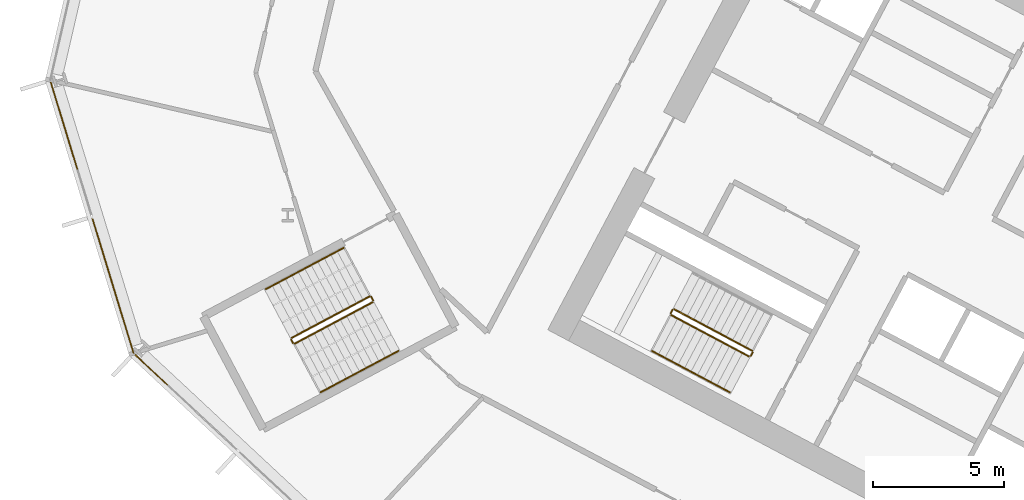
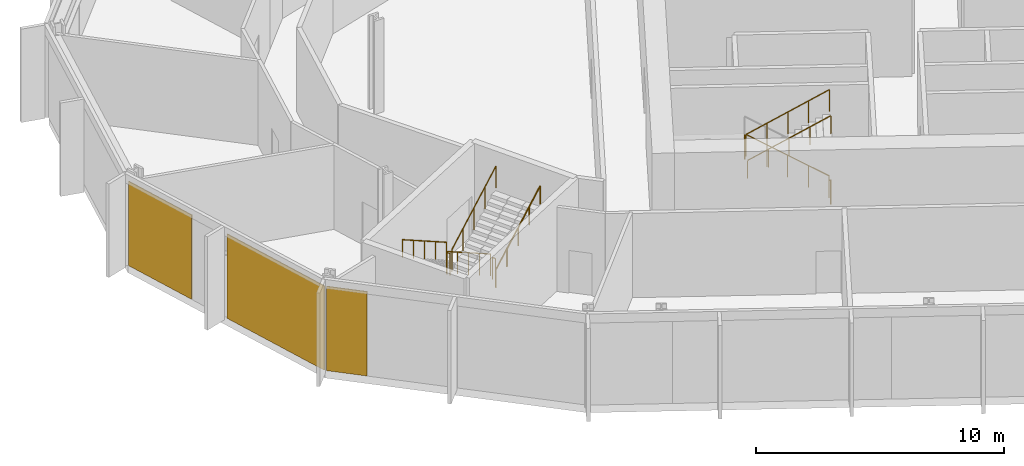
# One storey, part 23 of 31: 11 railings, 3 coverings, 2 elements without a shape of their own.
"""IFC4 building model written with IfcOpenShell, lengths in metres."""

from ifc_helpers import new_model, si_unit, direction, frame, origin, origin_2d, place, context, subcontext, project, spatial, polyline, rectangle, outline, extrude, material, layer, layer_set, type_object, element, aggregate, save


model = new_model("IFC4")

# Units and contexts
model_context = context("Model", 3, precision=1e-05, world=origin(), true_north=direction((0.0, 1.0)))
body_context = subcontext(model_context, "Body", "Model", "MODEL_VIEW")
ifc_project = project(units=[si_unit("LENGTHUNIT", "METRE"), si_unit("AREAUNIT", "SQUARE_METRE"), si_unit("VOLUMEUNIT", "CUBIC_METRE"), si_unit("PLANEANGLEUNIT", "RADIAN"), si_unit("MASSUNIT", "GRAM", prefix="KILO")], contexts=[model_context])

# Site, building, storey
site_placement = place(None, origin())
site = spatial("IfcSite", under=ifc_project, at=site_placement, CompositionType="ELEMENT")
building_placement = place(site_placement, origin())
building = spatial("IfcBuilding", under=site, at=building_placement, Name="Cormorant Relay Tower", CompositionType="ELEMENT")
storey_placement = place(building_placement, frame((0.0, 0.0, 107.60009765625)))
storey = spatial("IfcBuildingStorey", under=building, at=storey_placement, Name="L21", CompositionType="ELEMENT", Elevation=107.60009765625)

# Curtain wall, coverings
ifc_material_1 = material(Name="Aluminium 6063-T6 anodised bronze", Category="aluminium")
ifc_layer_1 = layer(ifc_material_1, 0.199951171875)
ifc_layer_set_1 = layer_set([ifc_layer_1], Name="CW1 unitised bronze curtain wall with vertical fins")
curtain_wall_type = type_object("IfcCurtainWallType", Name="CW1 unitised bronze curtain wall with vertical fins", PredefinedType="NOTDEFINED", material=ifc_layer_set_1)
curtain_wall_1_placement = place(storey_placement, origin())
curtain_wall_1 = element("IfcCurtainWall", 1, at=curtain_wall_1_placement, inside=storey, type_object=curtain_wall_type, Name="CW1 curtain wall 12", PredefinedType="NOTDEFINED")
ifc_material_2 = material(Name="Pale bronze anodised aluminium insulated panel", Category="aluminium")
ifc_layer_2 = layer(ifc_material_2, 0.0400390625)
ifc_layer_set_2 = layer_set([ifc_layer_2], Name="CW1 pale bronze insulated panel 40")
covering_type = type_object("IfcCoveringType", Name="CW1 pale bronze insulated panel 40", PredefinedType="CLADDING", material=ifc_layer_set_2)
covering_1_placement = place(storey_placement, frame((-60.20751953125, 18.6494140625, 0.0), z_axis=(0.0, 0.0, 1.0), x_axis=(0.292371704723, -0.956304755963, 0.0)))
covering_1 = element("IfcCovering", 2, at=covering_1_placement, type_object=covering_type, Name="CW1 panel S00", PredefinedType="CLADDING", context=body_context, shape_type="SweptSolid", body=[
    extrude(rectangle(XDim=3.485107421875, YDim=0.0400390625, at=origin_2d()), origin(), (0.0, 0.0, 1.0), 4.14990234375),
])
covering_2_placement = place(storey_placement, frame((-58.344482421875, 12.55517578125, 0.0), z_axis=(0.0, 0.0, 1.0), x_axis=(0.292371704723, -0.956304755963, 0.0)))
covering_2 = element("IfcCovering", 3, at=covering_2_placement, type_object=covering_type, Name="CW1 panel S02", PredefinedType="CLADDING", context=body_context, shape_type="SweptSolid", body=[
    extrude(rectangle(XDim=5.360107421875, YDim=0.0400390625, at=origin_2d()), origin(), (0.0, 0.0, 1.0), 4.14990234375),
])
aggregate(curtain_wall_1, [covering_1, covering_2])

# Curtain wall, covering
curtain_wall_2_placement = place(storey_placement, origin())
curtain_wall_2 = element("IfcCurtainWall", 4, at=curtain_wall_2_placement, inside=storey, type_object=curtain_wall_type, Name="CW1 curtain wall 13", PredefinedType="NOTDEFINED")
covering_3_placement = place(storey_placement, frame((-56.88427734375, 9.357421875, 0.0), z_axis=(0.0, 0.0, 1.0), x_axis=(0.731353701619, -0.681998360062, 0.0)))
covering_3 = element("IfcCovering", 5, at=covering_3_placement, type_object=covering_type, Name="CW1 panel S00", PredefinedType="CLADDING", context=body_context, shape_type="SweptSolid", body=[
    extrude(rectangle(XDim=1.685302734375, YDim=0.0400390625, at=origin_2d()), origin(), (0.0, 0.0, 1.0), 4.14990234375),
])
aggregate(curtain_wall_2, [covering_3])

# Railings
ifc_material_3 = material(Name="Steel ASTM A572 Grade 50 (Fy 345 MPa)", Category="steel")
railing_type_1 = type_object("IfcRailingType", Name="Stair guard 1100", PredefinedType="GUARDRAIL", material=ifc_material_3)
railing_1_placement = place(storey_placement, frame((-33.9921875, 10.08935546875, 0.1767578125)))
element("IfcRailing", 6, at=railing_1_placement, inside=storey, type_object=railing_type_1, Name="L21 A2 stair guard 1", PredefinedType="GUARDRAIL", context=body_context, shape_type="SweptSolid", body=[
    extrude(outline(polyline([(0.022216796875, 0.00927734375), (0.00927734375, 0.022216796875), (-0.00927734375, 0.022216796875), (-0.022216796875, 0.00927734375), (-0.022216796875, -0.00927734375), (-0.00927734375, -0.022216796875), (0.00927734375, -0.022216796875), (0.022216796875, -0.00927734375), (0.022216796875, 0.00927734375)])), frame((0.0, 0.0, 1.076171875), z_axis=(-0.746440668329, 0.396869088057, 0.534154711306), x_axis=(-0.46945269911, -0.882957622595, 0.0)), (0.0, 0.0, 1.0), 3.974609375),
    extrude(outline(polyline([(0.019287109375, 0.008056640625), (0.008056640625, 0.019287109375), (-0.008056640625, 0.019287109375), (-0.019287109375, 0.008056640625), (-0.019287109375, -0.008056640625), (-0.008056640625, -0.019287109375), (0.008056640625, -0.019287109375), (0.019287109375, -0.008056640625), (0.019287109375, 0.008056640625)])), origin(), (0.0, 0.0, 1.0), 1.052001953125),
    extrude(outline(polyline([(0.019287109375, 0.008056640625), (0.008056640625, 0.019287109375), (-0.008056640625, 0.019287109375), (-0.019287109375, 0.008056640625), (-0.019287109375, -0.008056640625), (-0.008056640625, -0.019287109375), (0.008056640625, -0.019287109375), (0.019287109375, -0.008056640625), (0.019287109375, 0.008056640625)])), frame((-0.74169921875, 0.394287109375, 0.53076171875)), (0.0, 0.0, 1.0), 1.052001953125),
    extrude(outline(polyline([(0.019287109375, 0.008056640625), (0.008056640625, 0.019287109375), (-0.008056640625, 0.019287109375), (-0.019287109375, 0.008056640625), (-0.019287109375, -0.008056640625), (-0.008056640625, -0.019287109375), (0.008056640625, -0.019287109375), (0.019287109375, -0.008056640625), (0.019287109375, 0.008056640625)])), frame((-1.4833984375, 0.78857421875, 1.0615234375)), (0.0, 0.0, 1.0), 1.052001953125),
    extrude(outline(polyline([(0.019287109375, 0.008056640625), (0.008056640625, 0.019287109375), (-0.008056640625, 0.019287109375), (-0.019287109375, 0.008056640625), (-0.019287109375, -0.008056640625), (-0.008056640625, -0.019287109375), (0.008056640625, -0.019287109375), (0.019287109375, -0.008056640625), (0.019287109375, 0.008056640625)])), frame((-2.22509765625, 1.18310546875, 1.59228515625)), (0.0, 0.0, 1.0), 1.052001953125),
    extrude(outline(polyline([(0.019287109375, 0.008056640625), (0.008056640625, 0.019287109375), (-0.008056640625, 0.019287109375), (-0.019287109375, 0.008056640625), (-0.019287109375, -0.008056640625), (-0.008056640625, -0.019287109375), (0.008056640625, -0.019287109375), (0.019287109375, -0.008056640625), (0.019287109375, 0.008056640625)])), frame((-2.966796875, 1.577392578125, 2.123046875)), (0.0, 0.0, 1.0), 1.052001953125),
])
railing_2_placement = place(storey_placement, frame((-37.026611328125, 11.64599609375, 2.2998046875)))
element("IfcRailing", 7, at=railing_2_placement, inside=storey, type_object=railing_type_1, Name="L21 A2 stair guard 2", PredefinedType="GUARDRAIL", context=body_context, shape_type="SweptSolid", body=[
    extrude(outline(polyline([(0.022216796875, 0.00927734375), (0.00927734375, 0.022216796875), (-0.00927734375, 0.022216796875), (-0.022216796875, 0.00927734375), (-0.022216796875, -0.00927734375), (-0.00927734375, -0.022216796875), (0.00927734375, -0.022216796875), (0.022216796875, -0.00927734375), (0.022216796875, 0.00927734375)])), frame((0.0, 0.0, 1.076171875), z_axis=(-0.469234640946, -0.883073525669, 0.0), x_axis=(0.883073525669, -0.469234640946, 0.0)), (0.0, 0.0, 1.0), 0.14990234375),
    extrude(outline(polyline([(0.019287109375, 0.008056640625), (0.008056640625, 0.019287109375), (-0.008056640625, 0.019287109375), (-0.019287109375, 0.008056640625), (-0.019287109375, -0.008056640625), (-0.008056640625, -0.019287109375), (0.008056640625, -0.019287109375), (0.019287109375, -0.008056640625), (0.019287109375, 0.008056640625)])), origin(), (0.0, 0.0, 1.0), 1.052001953125),
    extrude(outline(polyline([(0.019287109375, 0.008056640625), (0.008056640625, 0.019287109375), (-0.008056640625, 0.019287109375), (-0.019287109375, 0.008056640625), (-0.019287109375, -0.008056640625), (-0.008056640625, -0.019287109375), (0.008056640625, -0.019287109375), (0.019287109375, -0.008056640625), (0.019287109375, 0.008056640625)])), frame((-0.0703125, -0.13232421875, 0.0)), (0.0, 0.0, 1.0), 1.052001953125),
])
railing_3_placement = place(storey_placement, frame((-37.076171875, 11.446044921875, 2.476806640625)))
element("IfcRailing", 8, at=railing_3_placement, inside=storey, type_object=railing_type_1, Name="L21 A2 stair guard 3", PredefinedType="GUARDRAIL", context=body_context, shape_type="SweptSolid", body=[
    extrude(outline(polyline([(0.022216796875, 0.00927734375), (0.00927734375, 0.022216796875), (-0.00927734375, 0.022216796875), (-0.022216796875, 0.00927734375), (-0.022216796875, -0.00927734375), (-0.00927734375, -0.022216796875), (0.00927734375, -0.022216796875), (0.022216796875, -0.00927734375), (0.022216796875, 0.00927734375)])), frame((0.0, 0.0, 1.076171875), z_axis=(0.746413465702, -0.396887285154, 0.534179203172), x_axis=(0.469482818608, 0.88294160794, 0.0)), (0.0, 0.0, 1.0), 3.974365234375),
    extrude(outline(polyline([(0.019287109375, 0.008056640625), (0.008056640625, 0.019287109375), (-0.008056640625, 0.019287109375), (-0.019287109375, 0.008056640625), (-0.019287109375, -0.008056640625), (-0.008056640625, -0.019287109375), (0.008056640625, -0.019287109375), (0.019287109375, -0.008056640625), (0.019287109375, 0.008056640625)])), origin(), (0.0, 0.0, 1.0), 1.052001953125),
    extrude(outline(polyline([(0.019287109375, 0.008056640625), (0.008056640625, 0.019287109375), (-0.008056640625, 0.019287109375), (-0.019287109375, 0.008056640625), (-0.019287109375, -0.008056640625), (-0.008056640625, -0.019287109375), (0.008056640625, -0.019287109375), (0.019287109375, -0.008056640625), (0.019287109375, 0.008056640625)])), frame((0.74169921875, -0.394287109375, 0.53076171875)), (0.0, 0.0, 1.0), 1.052001953125),
    extrude(outline(polyline([(0.019287109375, 0.008056640625), (0.008056640625, 0.019287109375), (-0.008056640625, 0.019287109375), (-0.019287109375, 0.008056640625), (-0.019287109375, -0.008056640625), (-0.008056640625, -0.019287109375), (0.008056640625, -0.019287109375), (0.019287109375, -0.008056640625), (0.019287109375, 0.008056640625)])), frame((1.4833984375, -0.78857421875, 1.0615234375)), (0.0, 0.0, 1.0), 1.052001953125),
    extrude(outline(polyline([(0.019287109375, 0.008056640625), (0.008056640625, 0.019287109375), (-0.008056640625, 0.019287109375), (-0.019287109375, 0.008056640625), (-0.019287109375, -0.008056640625), (-0.008056640625, -0.019287109375), (0.008056640625, -0.019287109375), (0.019287109375, -0.008056640625), (0.019287109375, 0.008056640625)])), frame((2.224853515625, -1.18310546875, 1.59228515625)), (0.0, 0.0, 1.0), 1.052001953125),
    extrude(outline(polyline([(0.019287109375, 0.008056640625), (0.008056640625, 0.019287109375), (-0.008056640625, 0.019287109375), (-0.019287109375, 0.008056640625), (-0.019287109375, -0.008056640625), (-0.008056640625, -0.019287109375), (0.008056640625, -0.019287109375), (0.019287109375, -0.008056640625), (0.019287109375, 0.008056640625)])), frame((2.966552734375, -1.577392578125, 2.123046875)), (0.0, 0.0, 1.0), 1.052001953125),
])
railing_4_placement = place(storey_placement, frame((-33.971435546875, 10.021728515625, 0.0)))
element("IfcRailing", 9, at=railing_4_placement, inside=storey, type_object=railing_type_1, Name="L21 A2 stair guard 4", PredefinedType="GUARDRAIL", context=body_context, shape_type="SweptSolid", body=[
    extrude(outline(polyline([(0.022216796875, 0.00927734375), (0.00927734375, 0.022216796875), (-0.00927734375, 0.022216796875), (-0.022216796875, 0.00927734375), (-0.022216796875, -0.00927734375), (-0.00927734375, -0.022216796875), (0.00927734375, -0.022216796875), (0.022216796875, -0.00927734375), (0.022216796875, 0.00927734375)])), frame((0.0, 0.0, 1.076171875), z_axis=(-0.470503732759, -0.882398003998, 0.0), x_axis=(0.882398003998, -0.470503732759, 0.0)), (0.0, 0.0, 1.0), 0.14990234375),
    extrude(outline(polyline([(0.019287109375, 0.008056640625), (0.008056640625, 0.019287109375), (-0.008056640625, 0.019287109375), (-0.019287109375, 0.008056640625), (-0.019287109375, -0.008056640625), (-0.008056640625, -0.019287109375), (0.008056640625, -0.019287109375), (0.019287109375, -0.008056640625), (0.019287109375, 0.008056640625)])), origin(), (0.0, 0.0, 1.0), 1.052001953125),
    extrude(outline(polyline([(0.019287109375, 0.008056640625), (0.008056640625, 0.019287109375), (-0.008056640625, 0.019287109375), (-0.019287109375, 0.008056640625), (-0.019287109375, -0.008056640625), (-0.008056640625, -0.019287109375), (0.008056640625, -0.019287109375), (0.019287109375, -0.008056640625), (0.019287109375, 0.008056640625)])), frame((-0.070556640625, -0.13232421875, 0.0)), (0.0, 0.0, 1.0), 1.052001953125),
])
railing_5_placement = place(storey_placement, frame((-48.5693359375, 12.155517578125, 0.1767578125)))
element("IfcRailing", 10, at=railing_5_placement, inside=storey, type_object=railing_type_1, Name="L21 RP1 stair guard 1", PredefinedType="GUARDRAIL", context=body_context, shape_type="SweptSolid", body=[
    extrude(outline(polyline([(0.022216796875, 0.00927734375), (0.00927734375, 0.022216796875), (-0.00927734375, 0.022216796875), (-0.022216796875, 0.00927734375), (-0.022216796875, -0.00927734375), (-0.00927734375, -0.022216796875), (0.00927734375, -0.022216796875), (0.022216796875, -0.00927734375), (0.022216796875, 0.00927734375)])), frame((0.0, 0.0, 1.076171875), z_axis=(-0.746422470992, -0.396920836698, 0.534141689248), x_axis=(0.469509342547, -0.882927503967, 0.0)), (0.0, 0.0, 1.0), 3.974609375),
    extrude(outline(polyline([(0.019287109375, 0.008056640625), (0.008056640625, 0.019287109375), (-0.008056640625, 0.019287109375), (-0.019287109375, 0.008056640625), (-0.019287109375, -0.008056640625), (-0.008056640625, -0.019287109375), (0.008056640625, -0.019287109375), (0.019287109375, -0.008056640625), (0.019287109375, 0.008056640625)])), origin(), (0.0, 0.0, 1.0), 1.052001953125),
    extrude(outline(polyline([(0.019287109375, 0.008056640625), (0.008056640625, 0.019287109375), (-0.008056640625, 0.019287109375), (-0.019287109375, 0.008056640625), (-0.019287109375, -0.008056640625), (-0.008056640625, -0.019287109375), (0.008056640625, -0.019287109375), (0.019287109375, -0.008056640625), (0.019287109375, 0.008056640625)])), frame((-0.74169921875, -0.39453125, 0.53076171875)), (0.0, 0.0, 1.0), 1.052001953125),
    extrude(outline(polyline([(0.019287109375, 0.008056640625), (0.008056640625, 0.019287109375), (-0.008056640625, 0.019287109375), (-0.019287109375, 0.008056640625), (-0.019287109375, -0.008056640625), (-0.008056640625, -0.019287109375), (0.008056640625, -0.019287109375), (0.019287109375, -0.008056640625), (0.019287109375, 0.008056640625)])), frame((-1.4833984375, -0.788818359375, 1.0615234375)), (0.0, 0.0, 1.0), 1.052001953125),
    extrude(outline(polyline([(0.019287109375, 0.008056640625), (0.008056640625, 0.019287109375), (-0.008056640625, 0.019287109375), (-0.019287109375, 0.008056640625), (-0.019287109375, -0.008056640625), (-0.008056640625, -0.019287109375), (0.008056640625, -0.019287109375), (0.019287109375, -0.008056640625), (0.019287109375, 0.008056640625)])), frame((-2.22509765625, -1.18310546875, 1.59228515625)), (0.0, 0.0, 1.0), 1.052001953125),
    extrude(outline(polyline([(0.019287109375, 0.008056640625), (0.008056640625, 0.019287109375), (-0.008056640625, 0.019287109375), (-0.019287109375, 0.008056640625), (-0.019287109375, -0.008056640625), (-0.008056640625, -0.019287109375), (0.008056640625, -0.019287109375), (0.019287109375, -0.008056640625), (0.019287109375, 0.008056640625)])), frame((-2.966796875, -1.57763671875, 2.123046875)), (0.0, 0.0, 1.0), 1.052001953125),
])
railing_6_placement = place(storey_placement, frame((-51.556640625, 10.51025390625, 2.2998046875)))
element("IfcRailing", 11, at=railing_6_placement, inside=storey, type_object=railing_type_1, Name="L21 RP1 stair guard 2", PredefinedType="GUARDRAIL", context=body_context, shape_type="SweptSolid", body=[
    extrude(outline(polyline([(0.022216796875, 0.00927734375), (0.00927734375, 0.022216796875), (-0.00927734375, 0.022216796875), (-0.022216796875, 0.00927734375), (-0.022216796875, -0.00927734375), (-0.00927734375, -0.022216796875), (0.00927734375, -0.022216796875), (0.022216796875, -0.00927734375), (0.022216796875, 0.00927734375)])), frame((0.0, 0.0, 1.076171875), z_axis=(0.469234640946, -0.883073525669, 0.0), x_axis=(0.883073525669, 0.469234640946, 0.0)), (0.0, 0.0, 1.0), 0.14990234375),
    extrude(outline(polyline([(0.019287109375, 0.008056640625), (0.008056640625, 0.019287109375), (-0.008056640625, 0.019287109375), (-0.019287109375, 0.008056640625), (-0.019287109375, -0.008056640625), (-0.008056640625, -0.019287109375), (0.008056640625, -0.019287109375), (0.019287109375, -0.008056640625), (0.019287109375, 0.008056640625)])), origin(), (0.0, 0.0, 1.0), 1.052001953125),
    extrude(outline(polyline([(0.019287109375, 0.008056640625), (0.008056640625, 0.019287109375), (-0.008056640625, 0.019287109375), (-0.019287109375, 0.008056640625), (-0.019287109375, -0.008056640625), (-0.008056640625, -0.019287109375), (0.008056640625, -0.019287109375), (0.019287109375, -0.008056640625), (0.019287109375, 0.008056640625)])), frame((0.0703125, -0.13232421875, 0.0)), (0.0, 0.0, 1.0), 1.052001953125),
])
railing_7_placement = place(storey_placement, frame((-51.418701171875, 10.357177734375, 2.476806640625)))
element("IfcRailing", 12, at=railing_7_placement, inside=storey, type_object=railing_type_1, Name="L21 RP1 stair guard 3", PredefinedType="GUARDRAIL", context=body_context, shape_type="SweptSolid", body=[
    extrude(outline(polyline([(0.022216796875, 0.00927734375), (0.00927734375, 0.022216796875), (-0.00927734375, 0.022216796875), (-0.022216796875, 0.00927734375), (-0.022216796875, -0.00927734375), (-0.00927734375, -0.022216796875), (0.00927734375, -0.022216796875), (0.022216796875, -0.00927734375), (0.022216796875, 0.00927734375)])), frame((0.0, 0.0, 1.076171875), z_axis=(0.746440668329, 0.396869088057, 0.534154711306), x_axis=(-0.46945269911, 0.882957622595, 0.0)), (0.0, 0.0, 1.0), 3.974609375),
    extrude(outline(polyline([(0.019287109375, 0.008056640625), (0.008056640625, 0.019287109375), (-0.008056640625, 0.019287109375), (-0.019287109375, 0.008056640625), (-0.019287109375, -0.008056640625), (-0.008056640625, -0.019287109375), (0.008056640625, -0.019287109375), (0.019287109375, -0.008056640625), (0.019287109375, 0.008056640625)])), origin(), (0.0, 0.0, 1.0), 1.052001953125),
    extrude(outline(polyline([(0.019287109375, 0.008056640625), (0.008056640625, 0.019287109375), (-0.008056640625, 0.019287109375), (-0.019287109375, 0.008056640625), (-0.019287109375, -0.008056640625), (-0.008056640625, -0.019287109375), (0.008056640625, -0.019287109375), (0.019287109375, -0.008056640625), (0.019287109375, 0.008056640625)])), frame((0.74169921875, 0.394287109375, 0.53076171875)), (0.0, 0.0, 1.0), 1.052001953125),
    extrude(outline(polyline([(0.019287109375, 0.008056640625), (0.008056640625, 0.019287109375), (-0.008056640625, 0.019287109375), (-0.019287109375, 0.008056640625), (-0.019287109375, -0.008056640625), (-0.008056640625, -0.019287109375), (0.008056640625, -0.019287109375), (0.019287109375, -0.008056640625), (0.019287109375, 0.008056640625)])), frame((1.4833984375, 0.78857421875, 1.0615234375)), (0.0, 0.0, 1.0), 1.052001953125),
    extrude(outline(polyline([(0.019287109375, 0.008056640625), (0.008056640625, 0.019287109375), (-0.008056640625, 0.019287109375), (-0.019287109375, 0.008056640625), (-0.019287109375, -0.008056640625), (-0.008056640625, -0.019287109375), (0.008056640625, -0.019287109375), (0.019287109375, -0.008056640625), (0.019287109375, 0.008056640625)])), frame((2.22509765625, 1.18310546875, 1.59228515625)), (0.0, 0.0, 1.0), 1.052001953125),
    extrude(outline(polyline([(0.019287109375, 0.008056640625), (0.008056640625, 0.019287109375), (-0.008056640625, 0.019287109375), (-0.019287109375, 0.008056640625), (-0.019287109375, -0.008056640625), (-0.008056640625, -0.019287109375), (0.008056640625, -0.019287109375), (0.019287109375, -0.008056640625), (0.019287109375, 0.008056640625)])), frame((2.966796875, 1.577392578125, 2.123046875)), (0.0, 0.0, 1.0), 1.052001953125),
])
railing_8_placement = place(storey_placement, frame((-48.501708984375, 12.134765625, 0.0)))
element("IfcRailing", 13, at=railing_8_placement, inside=storey, type_object=railing_type_1, Name="L21 RP1 stair guard 4", PredefinedType="GUARDRAIL", context=body_context, shape_type="SweptSolid", body=[
    extrude(outline(polyline([(0.022216796875, 0.00927734375), (0.00927734375, 0.022216796875), (-0.00927734375, 0.022216796875), (-0.022216796875, 0.00927734375), (-0.022216796875, -0.00927734375), (-0.00927734375, -0.022216796875), (0.00927734375, -0.022216796875), (0.022216796875, -0.00927734375), (0.022216796875, 0.00927734375)])), frame((0.0, 0.0, 1.076171875), z_axis=(0.46856034887, -0.8834314911, 0.0), x_axis=(0.8834314911, 0.46856034887, 0.0)), (0.0, 0.0, 1.0), 0.150146484375),
    extrude(outline(polyline([(0.019287109375, 0.008056640625), (0.008056640625, 0.019287109375), (-0.008056640625, 0.019287109375), (-0.019287109375, 0.008056640625), (-0.019287109375, -0.008056640625), (-0.008056640625, -0.019287109375), (0.008056640625, -0.019287109375), (0.019287109375, -0.008056640625), (0.019287109375, 0.008056640625)])), origin(), (0.0, 0.0, 1.0), 1.052001953125),
    extrude(outline(polyline([(0.019287109375, 0.008056640625), (0.008056640625, 0.019287109375), (-0.008056640625, 0.019287109375), (-0.019287109375, 0.008056640625), (-0.019287109375, -0.008056640625), (-0.008056640625, -0.019287109375), (0.008056640625, -0.019287109375), (0.019287109375, -0.008056640625), (0.019287109375, 0.008056640625)])), frame((0.0703125, -0.132568359375, 0.0)), (0.0, 0.0, 1.0), 1.052001953125),
])
ifc_material_4 = material(Name="Steel ASTM A572 Grade 50 (Fy 345 MPa)", Category="steel")
railing_type_2 = type_object("IfcRailingType", Name="Stair handrail 900", PredefinedType="HANDRAIL", material=ifc_material_4)
railing_9_placement = place(storey_placement, frame((-37.803955078125, 10.077392578125, 2.476806640625)))
element("IfcRailing", 14, at=railing_9_placement, inside=storey, type_object=railing_type_2, Name="L21 A2 stair handrail 2", PredefinedType="HANDRAIL", context=body_context, shape_type="SweptSolid", body=[
    extrude(outline(polyline([(0.022216796875, 0.00927734375), (0.00927734375, 0.022216796875), (-0.00927734375, 0.022216796875), (-0.022216796875, 0.00927734375), (-0.022216796875, -0.00927734375), (-0.00927734375, -0.022216796875), (0.00927734375, -0.022216796875), (0.022216796875, -0.00927734375), (0.022216796875, 0.00927734375)])), frame((0.0, 0.0, 0.8759765625), z_axis=(0.746440668329, -0.396869088057, 0.534154711306), x_axis=(0.46945269911, 0.882957622595, 0.0)), (0.0, 0.0, 1.0), 3.974609375),
    extrude(outline(polyline([(0.019287109375, 0.008056640625), (0.008056640625, 0.019287109375), (-0.008056640625, 0.019287109375), (-0.019287109375, 0.008056640625), (-0.019287109375, -0.008056640625), (-0.008056640625, -0.019287109375), (0.008056640625, -0.019287109375), (0.019287109375, -0.008056640625), (0.019287109375, 0.008056640625)])), origin(), (0.0, 0.0, 1.0), 0.851806640625),
    extrude(outline(polyline([(0.019287109375, 0.008056640625), (0.008056640625, 0.019287109375), (-0.008056640625, 0.019287109375), (-0.019287109375, 0.008056640625), (-0.019287109375, -0.008056640625), (-0.008056640625, -0.019287109375), (0.008056640625, -0.019287109375), (0.019287109375, -0.008056640625), (0.019287109375, 0.008056640625)])), frame((0.74169921875, -0.394287109375, 0.53076171875)), (0.0, 0.0, 1.0), 0.851806640625),
    extrude(outline(polyline([(0.019287109375, 0.008056640625), (0.008056640625, 0.019287109375), (-0.008056640625, 0.019287109375), (-0.019287109375, 0.008056640625), (-0.019287109375, -0.008056640625), (-0.008056640625, -0.019287109375), (0.008056640625, -0.019287109375), (0.019287109375, -0.008056640625), (0.019287109375, 0.008056640625)])), frame((1.4833984375, -0.78857421875, 1.0615234375)), (0.0, 0.0, 1.0), 0.851806640625),
    extrude(outline(polyline([(0.019287109375, 0.008056640625), (0.008056640625, 0.019287109375), (-0.008056640625, 0.019287109375), (-0.019287109375, 0.008056640625), (-0.019287109375, -0.008056640625), (-0.008056640625, -0.019287109375), (0.008056640625, -0.019287109375), (0.019287109375, -0.008056640625), (0.019287109375, 0.008056640625)])), frame((2.22509765625, -1.18310546875, 1.59228515625)), (0.0, 0.0, 1.0), 0.851806640625),
    extrude(outline(polyline([(0.019287109375, 0.008056640625), (0.008056640625, 0.019287109375), (-0.008056640625, 0.019287109375), (-0.019287109375, 0.008056640625), (-0.019287109375, -0.008056640625), (-0.008056640625, -0.019287109375), (0.008056640625, -0.019287109375), (0.019287109375, -0.008056640625), (0.019287109375, 0.008056640625)])), frame((2.966796875, -1.577392578125, 2.123046875)), (0.0, 0.0, 1.0), 0.851806640625),
])
railing_10_placement = place(storey_placement, frame((-49.55517578125, 14.009521484375, 0.1767578125)))
element("IfcRailing", 15, at=railing_10_placement, inside=storey, type_object=railing_type_2, Name="L21 RP1 stair handrail 1", PredefinedType="HANDRAIL", context=body_context, shape_type="SweptSolid", body=[
    extrude(outline(polyline([(0.022216796875, 0.00927734375), (0.00927734375, 0.022216796875), (-0.00927734375, 0.022216796875), (-0.022216796875, 0.00927734375), (-0.022216796875, -0.00927734375), (-0.00927734375, -0.022216796875), (0.00927734375, -0.022216796875), (0.022216796875, -0.00927734375), (0.022216796875, 0.00927734375)])), frame((0.0, 0.0, 0.8759765625), z_axis=(-0.746440668329, -0.396869088057, 0.534154711306), x_axis=(0.46945269911, -0.882957622595, 0.0)), (0.0, 0.0, 1.0), 3.974609375),
    extrude(outline(polyline([(0.019287109375, 0.008056640625), (0.008056640625, 0.019287109375), (-0.008056640625, 0.019287109375), (-0.019287109375, 0.008056640625), (-0.019287109375, -0.008056640625), (-0.008056640625, -0.019287109375), (0.008056640625, -0.019287109375), (0.019287109375, -0.008056640625), (0.019287109375, 0.008056640625)])), origin(), (0.0, 0.0, 1.0), 0.851806640625),
    extrude(outline(polyline([(0.019287109375, 0.008056640625), (0.008056640625, 0.019287109375), (-0.008056640625, 0.019287109375), (-0.019287109375, 0.008056640625), (-0.019287109375, -0.008056640625), (-0.008056640625, -0.019287109375), (0.008056640625, -0.019287109375), (0.019287109375, -0.008056640625), (0.019287109375, 0.008056640625)])), frame((-0.74169921875, -0.394287109375, 0.53076171875)), (0.0, 0.0, 1.0), 0.851806640625),
    extrude(outline(polyline([(0.019287109375, 0.008056640625), (0.008056640625, 0.019287109375), (-0.008056640625, 0.019287109375), (-0.019287109375, 0.008056640625), (-0.019287109375, -0.008056640625), (-0.008056640625, -0.019287109375), (0.008056640625, -0.019287109375), (0.019287109375, -0.008056640625), (0.019287109375, 0.008056640625)])), frame((-1.4833984375, -0.78857421875, 1.0615234375)), (0.0, 0.0, 1.0), 0.851806640625),
    extrude(outline(polyline([(0.019287109375, 0.008056640625), (0.008056640625, 0.019287109375), (-0.008056640625, 0.019287109375), (-0.019287109375, 0.008056640625), (-0.019287109375, -0.008056640625), (-0.008056640625, -0.019287109375), (0.008056640625, -0.019287109375), (0.019287109375, -0.008056640625), (0.019287109375, 0.008056640625)])), frame((-2.22509765625, -1.18310546875, 1.59228515625)), (0.0, 0.0, 1.0), 0.851806640625),
    extrude(outline(polyline([(0.019287109375, 0.008056640625), (0.008056640625, 0.019287109375), (-0.008056640625, 0.019287109375), (-0.019287109375, 0.008056640625), (-0.019287109375, -0.008056640625), (-0.008056640625, -0.019287109375), (0.008056640625, -0.019287109375), (0.019287109375, -0.008056640625), (0.019287109375, 0.008056640625)])), frame((-2.966796875, -1.577392578125, 2.123046875)), (0.0, 0.0, 1.0), 0.851806640625),
])
railing_11_placement = place(storey_placement, frame((-50.432861328125, 8.503173828125, 2.476806640625)))
element("IfcRailing", 16, at=railing_11_placement, inside=storey, type_object=railing_type_2, Name="L21 RP1 stair handrail 2", PredefinedType="HANDRAIL", context=body_context, shape_type="SweptSolid", body=[
    extrude(outline(polyline([(0.022216796875, 0.00927734375), (0.00927734375, 0.022216796875), (-0.00927734375, 0.022216796875), (-0.022216796875, 0.00927734375), (-0.022216796875, -0.00927734375), (-0.00927734375, -0.022216796875), (0.00927734375, -0.022216796875), (0.022216796875, -0.00927734375), (0.022216796875, 0.00927734375)])), frame((0.0, 0.0, 0.8759765625), z_axis=(0.746440668329, 0.396869088057, 0.534154711306), x_axis=(-0.46945269911, 0.882957622595, 0.0)), (0.0, 0.0, 1.0), 3.974609375),
    extrude(outline(polyline([(0.019287109375, 0.008056640625), (0.008056640625, 0.019287109375), (-0.008056640625, 0.019287109375), (-0.019287109375, 0.008056640625), (-0.019287109375, -0.008056640625), (-0.008056640625, -0.019287109375), (0.008056640625, -0.019287109375), (0.019287109375, -0.008056640625), (0.019287109375, 0.008056640625)])), origin(), (0.0, 0.0, 1.0), 0.851806640625),
    extrude(outline(polyline([(0.019287109375, 0.008056640625), (0.008056640625, 0.019287109375), (-0.008056640625, 0.019287109375), (-0.019287109375, 0.008056640625), (-0.019287109375, -0.008056640625), (-0.008056640625, -0.019287109375), (0.008056640625, -0.019287109375), (0.019287109375, -0.008056640625), (0.019287109375, 0.008056640625)])), frame((0.74169921875, 0.394287109375, 0.53076171875)), (0.0, 0.0, 1.0), 0.851806640625),
    extrude(outline(polyline([(0.019287109375, 0.008056640625), (0.008056640625, 0.019287109375), (-0.008056640625, 0.019287109375), (-0.019287109375, 0.008056640625), (-0.019287109375, -0.008056640625), (-0.008056640625, -0.019287109375), (0.008056640625, -0.019287109375), (0.019287109375, -0.008056640625), (0.019287109375, 0.008056640625)])), frame((1.4833984375, 0.78857421875, 1.0615234375)), (0.0, 0.0, 1.0), 0.851806640625),
    extrude(outline(polyline([(0.019287109375, 0.008056640625), (0.008056640625, 0.019287109375), (-0.008056640625, 0.019287109375), (-0.019287109375, 0.008056640625), (-0.019287109375, -0.008056640625), (-0.008056640625, -0.019287109375), (0.008056640625, -0.019287109375), (0.019287109375, -0.008056640625), (0.019287109375, 0.008056640625)])), frame((2.22509765625, 1.18310546875, 1.59228515625)), (0.0, 0.0, 1.0), 0.851806640625),
    extrude(outline(polyline([(0.019287109375, 0.008056640625), (0.008056640625, 0.019287109375), (-0.008056640625, 0.019287109375), (-0.019287109375, 0.008056640625), (-0.019287109375, -0.008056640625), (-0.008056640625, -0.019287109375), (0.008056640625, -0.019287109375), (0.019287109375, -0.008056640625), (0.019287109375, 0.008056640625)])), frame((2.966796875, 1.577392578125, 2.123046875)), (0.0, 0.0, 1.0), 0.851806640625),
])

save(model, "model.ifc")
